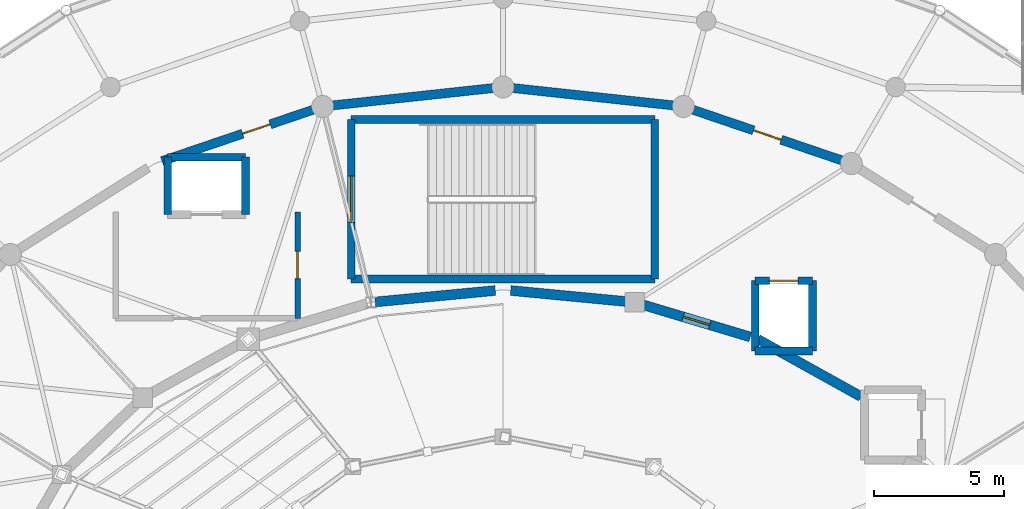
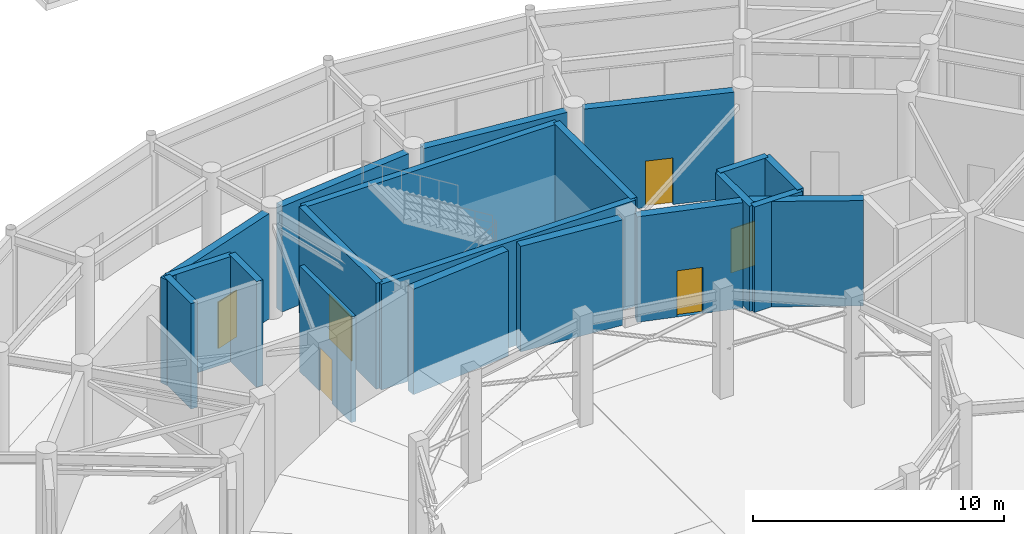
# One storey, part 55 of 93: 20 walls, 6 doors, 6 openings.
"""IFC4 building model written with IfcOpenShell, lengths in metres."""

import ifcopenshell
import ifcopenshell.guid

model = None  # the IFC model being written
_history = None  # IfcOwnerHistory: only IFC2X3 demands one
_inside = {}  # id of a spatial element -> (the spatial element, [elements in it])
_under = {}  # id of a project, library or spatial element -> (it, [spatial elements below it])
_declared = {}  # id of a project -> (the project, [libraries it declares])
_typed = {}  # id of a type object -> (the type object, [elements of that type])
_made_of = {}  # id of a material, layer set ... -> (it, [elements and type objects made of it])


def new_model(schema):
    """Start an empty IFC model of exactly this schema.

    Asked for "IFC4X3", IfcOpenShell would pick the latest addendum, in which some entities
    have other attributes; the version numbers below select the first issue.
    IFC2X3 requires an IfcOwnerHistory on every rooted entity: one is made here for all.
    """
    global model, _history
    if schema == "IFC4X3":
        model = ifcopenshell.file(schema_version=(4, 3, 0, 0))
    else:
        model = ifcopenshell.file(schema=schema)
    _inside.clear()
    _under.clear()
    _declared.clear()
    _typed.clear()
    _made_of.clear()
    _history = None
    if model.schema == "IFC2X3":
        org = make("IfcOrganization", Name="unknown")
        user = make(
            "IfcPersonAndOrganization",
            ThePerson=make("IfcPerson", FamilyName="unknown"),
            TheOrganization=org,
        )
        app = make(
            "IfcApplication",
            ApplicationDeveloper=org,
            Version="unknown",
            ApplicationFullName="unknown",
            ApplicationIdentifier="unknown",
        )
        _history = make(
            "IfcOwnerHistory",
            OwningUser=user,
            OwningApplication=app,
            ChangeAction="ADDED",
            CreationDate=0,
        )
    return model


def make(cls, **values):
    """One entity of the class cls with the attributes given. An attribute that is None is left unset."""
    return model.create_entity(
        cls, **{name: value for name, value in values.items() if value is not None}
    )


def rooted(cls, **values):
    """An entity with a GlobalId (a new one), such as an element, a storey or a relation."""
    return make(cls, GlobalId=ifcopenshell.guid.new(), OwnerHistory=_history, **values)


def si_unit(unit_type, name, prefix=None):
    """IfcSIUnit, for example si_unit("LENGTHUNIT", "METRE", prefix="MILLI")."""
    return make("IfcSIUnit", UnitType=unit_type, Prefix=prefix, Name=name)


def assignment(units):
    """IfcUnitAssignment: the units of a project."""
    return None if units is None else make("IfcUnitAssignment", Units=units)


def point(xyz):
    """IfcCartesianPoint."""
    return None if xyz is None else make("IfcCartesianPoint", Coordinates=xyz)


def direction(xyz):
    """IfcDirection."""
    return None if xyz is None else make("IfcDirection", DirectionRatios=xyz)


def frame(location, z_axis=None, x_axis=None):
    """IfcAxis2Placement3D, a coordinate frame: its origin and axes. An axis left out is left unset."""
    return make(
        "IfcAxis2Placement3D",
        Location=point(location),
        Axis=direction(z_axis),
        RefDirection=direction(x_axis),
    )


def frame_2d(location, x_axis=None):
    """IfcAxis2Placement2D, a coordinate frame in the plane: its origin and x axis."""
    return make(
        "IfcAxis2Placement2D", Location=point(location), RefDirection=direction(x_axis)
    )


def origin():
    """The frame at (0, 0, 0) with its axes left unset."""
    return frame((0.0, 0.0, 0.0))


def place(relative_to, where):
    """IfcLocalPlacement: puts the frame where relative to a parent placement (None: the world)."""
    return make(
        "IfcLocalPlacement", PlacementRelTo=relative_to, RelativePlacement=where
    )


def context(
    kind, dimensions, precision=None, world=None, true_north=None, identifier=None
):
    """IfcGeometricRepresentationContext, for example the 3D "Model" context."""
    return make(
        "IfcGeometricRepresentationContext",
        ContextIdentifier=identifier,
        ContextType=kind,
        CoordinateSpaceDimension=dimensions,
        Precision=precision,
        WorldCoordinateSystem=world,
        TrueNorth=true_north,
    )


def subcontext(parent, identifier, kind, view, scale=None):
    """IfcGeometricRepresentationSubContext, for example "Body" below "Model"."""
    return make(
        "IfcGeometricRepresentationSubContext",
        ContextIdentifier=identifier,
        ContextType=kind,
        ParentContext=parent,
        TargetScale=scale,
        TargetView=view,
    )


def project(units=None, contexts=None):
    """IfcProject with its units and contexts."""
    return rooted(
        "IfcProject",
        Name="project",
        RepresentationContexts=contexts,
        UnitsInContext=assignment(units),
    )


def spatial(cls, under=None, at=None, **own):
    """A site, building, storey or space (cls), placed at a placement, below another one or the project."""
    s = rooted(cls, ObjectPlacement=at, **own)
    if under is not None:
        _under.setdefault(under.id(), (under, []))[1].append(s)
    return s


def profile(cls, at=None, kind="AREA", **sizes):
    """A parametric profile (cls). Its sizes go by their IFC names, for example OverallWidth=200.0."""
    return make(cls, ProfileType=kind, Position=at, **sizes)


def rectangle(**sizes):
    """IfcRectangleProfileDef."""
    return profile("IfcRectangleProfileDef", **sizes)


def extrude(swept, where, along, depth):
    """IfcExtrudedAreaSolid: the profile swept, set in the frame where, extruded along a direction by depth."""
    return make(
        "IfcExtrudedAreaSolid",
        SweptArea=swept,
        Position=where,
        ExtrudedDirection=direction(along),
        Depth=depth,
    )


def shape(context_of_items, identifier, shape_type, items):
    """IfcShapeRepresentation: the items that make up one representation, for example the "Body"."""
    return make(
        "IfcShapeRepresentation",
        ContextOfItems=context_of_items,
        RepresentationIdentifier=identifier,
        RepresentationType=shape_type,
        Items=items,
    )


def material(Name=None, Category=None):
    """IfcMaterial."""
    return make("IfcMaterial", Name=Name, Category=Category)


def layer(
    of_material, thickness, ventilated=None, Name=None, Category=None, Priority=None
):
    """IfcMaterialLayer: one layer of a wall or slab, of a material (None: an air gap)."""
    return make(
        "IfcMaterialLayer",
        Material=of_material,
        LayerThickness=thickness,
        IsVentilated=ventilated,
        Name=Name,
        Category=Category,
        Priority=Priority,
    )


def layer_set(layers, Name=None):
    """IfcMaterialLayerSet."""
    return make("IfcMaterialLayerSet", MaterialLayers=layers, LayerSetName=Name)


def made_of(thing, what):
    """Note that an element or type object is made of a material, layer set ...; save() writes the relation."""
    if what is not None:
        _made_of.setdefault(what.id(), (what, []))[1].append(thing)
    return thing


def type_object(cls, material=None, **own):
    """A type object (cls), such as IfcWallType, which elements share."""
    return made_of(rooted(cls, **own), material)


def element(
    cls,
    number,
    at=None,
    inside=None,
    cuts=None,
    type_object=None,
    material=None,
    context=None,
    identifier="Body",
    shape_type=None,
    held_by="IfcProductDefinitionShape",
    body=None,
    shapes=None,
    **own,
):
    """One element of the class cls, such as IfcWall. Its Tag is "e" and its number.

    at: its placement. inside: the storey or other place that contains it. cuts: it is an
    opening in that element (IfcRelVoidsElement). A single representation is given by context,
    identifier, shape_type and body (its items); several are given by shapes. held_by: the class
    of the entity that holds the representations. save() writes the other relations.
    """
    e = rooted(cls, Tag="e%d" % number, ObjectPlacement=at, **own)
    if body is not None:
        shapes = [shape(context, identifier, shape_type, body)]
    if shapes is not None:
        e.Representation = make(held_by, Representations=shapes)
    if inside is not None:
        _inside.setdefault(inside.id(), (inside, []))[1].append(e)
    if cuts is not None:
        rooted(
            "IfcRelVoidsElement", RelatingBuildingElement=cuts, RelatedOpeningElement=e
        )
    if type_object is not None:
        _typed.setdefault(type_object.id(), (type_object, []))[1].append(e)
    return made_of(e, material)


def fill(opening, filler):
    """IfcRelFillsElement: the door or window that sits in an opening."""
    return rooted(
        "IfcRelFillsElement",
        RelatingOpeningElement=opening,
        RelatedBuildingElement=filler,
    )


def aggregate(whole, parts):
    """IfcRelAggregates: a whole, such as a stair, and the parts it consists of."""
    return rooted("IfcRelAggregates", RelatingObject=whole, RelatedObjects=parts)


def save(model, path):
    """Write the relations noted so far, then the file.

    IfcRelAggregates (storeys below a building ...), IfcRelContainedInSpatialStructure (elements
    in a storey), IfcRelDefinesByType, IfcRelAssociatesMaterial and IfcRelDeclares: one each for
    every whole, place, type object, material and project.
    """
    for whole, parts in _under.values():
        aggregate(whole, parts)
    for where, things in _inside.values():
        rooted(
            "IfcRelContainedInSpatialStructure",
            RelatedElements=things,
            RelatingStructure=where,
        )
    for kind, things in _typed.values():
        rooted("IfcRelDefinesByType", RelatedObjects=things, RelatingType=kind)
    for what, things in _made_of.values():
        rooted("IfcRelAssociatesMaterial", RelatedObjects=things, RelatingMaterial=what)
    for by, libraries in _declared.values():
        rooted("IfcRelDeclares", RelatingContext=by, RelatedDefinitions=libraries)
    model.write(path)


model = new_model("IFC4")

# Units and contexts
model_context = context("Model", 3, precision=1e-05, world=origin(), true_north=direction((0.0, 1.0)))
body_context = subcontext(model_context, "Body", "Model", "MODEL_VIEW")
ifc_project = project(units=[si_unit("LENGTHUNIT", "METRE"), si_unit("AREAUNIT", "SQUARE_METRE"), si_unit("VOLUMEUNIT", "CUBIC_METRE"), si_unit("PLANEANGLEUNIT", "RADIAN"), si_unit("MASSUNIT", "GRAM", prefix="KILO")], contexts=[model_context])

# Site, building, storey
site_placement = place(None, origin())
site = spatial("IfcSite", under=ifc_project, at=site_placement, CompositionType="ELEMENT")
building_placement = place(site_placement, origin())
building = spatial("IfcBuilding", under=site, at=building_placement, Name="Cinderbank Siding Concert Hall", CompositionType="ELEMENT")
storey_placement = place(building_placement, origin())
storey = spatial("IfcBuildingStorey", under=building, at=storey_placement, Name="L01", CompositionType="ELEMENT", Elevation=0.0)

# Wall
ifc_material_1 = material(Name="Reinforced concrete AS 3600 N50 (50 MPa)", Category="concrete")
ifc_layer_1 = layer(ifc_material_1, 0.3798828125)
ifc_layer_set_1 = layer_set([ifc_layer_1], Name="Reinforced concrete AS 3600 N50 (50 MPa)")
wall_type_1 = type_object("IfcWallType", Name="WL-01 Structural Wall 380mm", PredefinedType="SOLIDWALL", material=ifc_layer_set_1)
wall_1_placement = place(storey_placement, frame((135.77197265625, 54.089599609375, 0.0), z_axis=(0.0, 0.0, 1.0), x_axis=(-0.874028004615, 0.485875546975, 0.0)))
element("IfcWall", 1, at=wall_1_placement, inside=storey, type_object=wall_type_1, Name="L01 Structural Wall SW-E1-L01-04", PredefinedType="SOLIDWALL", context=body_context, shape_type="SweptSolid", body=[
    extrude(rectangle(XDim=4.54443359375, YDim=0.3798828125, at=frame_2d((2.272216796875, 0.0))), origin(), (0.0, 0.0, 1.0), 5.1201171875),
])

# Wall, opening, door
wall_2_placement = place(storey_placement, frame((131.5126953125, 56.3837890625, 0.0), z_axis=(0.0, 0.0, 1.0), x_axis=(-0.95780608713, 0.287415203941, 0.0)))
wall_2 = element("IfcWall", 2, at=wall_2_placement, inside=storey, type_object=wall_type_1, Name="L01 Structural Wall SW-E1-L01-05", PredefinedType="SOLIDWALL", context=body_context, shape_type="SweptSolid", body=[
    extrude(rectangle(XDim=4.325439453125, YDim=0.3798828125, at=frame_2d((2.16259765625, 0.0))), origin(), (0.0, 0.0, 1.0), 5.1201171875),
])
opening_1_placement = place(wall_2_placement, frame((1.6328125, 0.0, 0.0)))
opening_1 = element("IfcOpeningElement", 3, at=opening_1_placement, cuts=wall_2, Name="Opening D-18", PredefinedType="OPENING", context=body_context, shape_type="SweptSolid", body=[
    extrude(rectangle(XDim=1.06005859375, YDim=2.239990234375, at=frame_2d((0.530029296875, 1.1201171875))), frame((0.0, 0.201904296875, 0.0), z_axis=(0.0, -1.0, 0.0), x_axis=(1.0, 0.0, 0.0)), (0.0, 0.0, 1.0), 0.40380859375),
])
ifc_material_2 = material(Name="Solid-core spotted gum acoustic timber", Category="wood")
door_type_1 = type_object("IfcDoorType", Name="D-18 Interior Door 1060x2240", OperationType="NOTDEFINED", PredefinedType="DOOR", material=ifc_material_2)
door_1_placement = place(opening_1_placement, origin())
door_1 = element("IfcDoor", 4, at=door_1_placement, inside=storey, type_object=door_type_1, Name="L01 Auditorium Sound-Lock Door L01-D119", OperationType="SINGLE_SWING_RIGHT", OverallHeight=2.239990234375, OverallWidth=1.06005859375, PredefinedType="DOOR", context=body_context, shape_type="SweptSolid", body=[
    extrude(rectangle(XDim=1.06005859375, YDim=2.239990234375, at=frame_2d((0.530029296875, 1.1201171875))), frame((0.0, 0.02490234375, 0.0), z_axis=(0.0, -1.0, 0.0), x_axis=(1.0, 0.0, 0.0)), (0.0, 0.0, 1.0), 0.050048828125),
])
fill(opening_1, door_1)

# Walls
wall_3_placement = place(storey_placement, frame((126.764404296875, 57.74560546875, 0.0), z_axis=(0.0, 0.0, 1.0), x_axis=(-0.995485683578, 0.094911821133, 0.0)))
element("IfcWall", 5, at=wall_3_placement, inside=storey, type_object=wall_type_1, Name="L01 Structural Wall SW-E1-L01-06", PredefinedType="SOLIDWALL", context=body_context, shape_type="SweptSolid", body=[
    extrude(rectangle(XDim=4.486083984375, YDim=0.3798828125, at=frame_2d((2.2431640625, 0.0))), origin(), (0.0, 0.0, 1.0), 5.1201171875),
])
wall_4_placement = place(storey_placement, frame((121.701416015625, 58.17138671875, 0.0), z_axis=(0.0, 0.0, 1.0), x_axis=(-0.995481971411, -0.094950748265, 0.0)))
element("IfcWall", 6, at=wall_4_placement, inside=storey, type_object=wall_type_1, Name="L01 Structural Wall SW-E1-L01-07", PredefinedType="SOLIDWALL", context=body_context, shape_type="SweptSolid", body=[
    extrude(rectangle(XDim=4.635986328125, YDim=0.3798828125, at=frame_2d((2.31787109375, 0.0))), origin(), (0.0, 0.0, 1.0), 5.1201171875),
])

# Wall, opening, door
ifc_layer_2 = layer(ifc_material_1, 0.35009765625)
ifc_layer_set_2 = layer_set([ifc_layer_2], Name="Reinforced concrete AS 3600 N50 (50 MPa)")
wall_type_2 = type_object("IfcWallType", Name="WL-02 Structural Wall 350mm", PredefinedType="SHEAR", material=ifc_layer_set_2)
wall_5_placement = place(storey_placement, frame((135.05908203125, 63.16845703125, 0.0), z_axis=(0.0, 0.0, 1.0), x_axis=(-0.946763241211, 0.321930683675, 0.0)))
wall_5 = element("IfcWall", 7, at=wall_5_placement, inside=storey, type_object=wall_type_2, Name="L01 Structural Wall SW-E2-L01-05", PredefinedType="SHEAR", context=body_context, shape_type="SweptSolid", body=[
    extrude(rectangle(XDim=6.107177734375, YDim=0.35009765625, at=frame_2d((3.0537109375, 0.0))), origin(), (0.0, 0.0, 1.0), 5.1201171875),
])
opening_2_placement = place(wall_5_placement, frame((2.49365234375, 0.0, 0.0)))
opening_2 = element("IfcOpeningElement", 8, at=opening_2_placement, cuts=wall_5, Name="Opening D-19", PredefinedType="OPENING", context=body_context, shape_type="SweptSolid", body=[
    extrude(rectangle(XDim=1.1201171875, YDim=2.260009765625, at=frame_2d((0.56005859375, 1.1298828125))), frame((0.0, 0.18701171875, 0.0), z_axis=(0.0, -1.0, 0.0), x_axis=(1.0, 0.0, 0.0)), (0.0, 0.0, 1.0), 0.3740234375),
])
door_type_2 = type_object("IfcDoorType", Name="D-19 Interior Door 1120x2260", OperationType="NOTDEFINED", PredefinedType="DOOR", material=ifc_material_2)
door_2_placement = place(opening_2_placement, origin())
door_2 = element("IfcDoor", 9, at=door_2_placement, inside=storey, type_object=door_type_2, Name="L01 Auditorium Sound-Lock Door L01-D124", OperationType="SINGLE_SWING_LEFT", OverallHeight=2.260009765625, OverallWidth=1.1201171875, PredefinedType="DOOR", context=body_context, shape_type="SweptSolid", body=[
    extrude(rectangle(XDim=1.1201171875, YDim=2.260009765625, at=frame_2d((0.56005859375, 1.1298828125))), frame((0.0, 0.02490234375, 0.0), z_axis=(0.0, -1.0, 0.0), x_axis=(1.0, 0.0, 0.0)), (0.0, 0.0, 1.0), 0.050048828125),
])
fill(opening_2, door_2)

# Walls
for number, where, z_axis, x_axis, name in (
    (10, (128.57861328125, 65.2890625, 0.0), (0.0, 0.0, 1.0), (-0.994213694453, 0.107420341477, 0.0), "L01 Structural Wall SW-E2-L01-06"),
    (11, (121.64208984375, 65.961181640625, 0.0), (0.0, 0.0, 1.0), (-0.994213694453, -0.107420341477, 0.0), "L01 Structural Wall SW-E2-L01-07"),
):
    element("IfcWall", number, at=place(storey_placement, frame(where, z_axis=z_axis, x_axis=x_axis)), inside=storey, type_object=wall_type_2, Name=name, PredefinedType="SHEAR", context=body_context, shape_type="SweptSolid", body=[
        extrude(rectangle(XDim=6.2568359375, YDim=0.35009765625, at=frame_2d((3.12841796875, 0.0))), origin(), (0.0, 0.0, 1.0), 5.1201171875),
    ])

# Wall, opening, door
wall_6_placement = place(storey_placement, frame((114.722900390625, 65.134521484375, 0.0), z_axis=(0.0, 0.0, 1.0), x_axis=(-0.946765988255, -0.321922604804, 0.0)))
wall_6 = element("IfcWall", 12, at=wall_6_placement, inside=storey, type_object=wall_type_2, Name="L01 Structural Wall SW-E2-L01-08", PredefinedType="SHEAR", context=body_context, shape_type="SweptSolid", body=[
    extrude(rectangle(XDim=6.167236328125, YDim=0.35009765625, at=frame_2d((3.08349609375, 0.0))), origin(), (0.0, 0.0, 1.0), 5.1201171875),
])
opening_3_placement = place(wall_6_placement, frame((1.7734375, 0.0, 0.0)))
opening_3 = element("IfcOpeningElement", 13, at=opening_3_placement, cuts=wall_6, Name="Opening D-19", PredefinedType="OPENING", context=body_context, shape_type="SweptSolid", body=[
    extrude(rectangle(XDim=1.1201171875, YDim=2.260009765625, at=frame_2d((0.56005859375, 1.1298828125))), frame((0.0, 0.18701171875, 0.0), z_axis=(0.0, -1.0, 0.0), x_axis=(1.0, 0.0, 0.0)), (0.0, 0.0, 1.0), 0.3740234375),
])
door_3_placement = place(opening_3_placement, origin())
door_3 = element("IfcDoor", 14, at=door_3_placement, inside=storey, type_object=door_type_2, Name="L01 Auditorium Sound-Lock Door L01-D125", OperationType="SINGLE_SWING_RIGHT", OverallHeight=2.260009765625, OverallWidth=1.1201171875, PredefinedType="DOOR", context=body_context, shape_type="SweptSolid", body=[
    extrude(rectangle(XDim=1.1201171875, YDim=2.260009765625, at=frame_2d((0.56005859375, 1.1298828125))), frame((0.0, 0.02490234375, 0.0), z_axis=(0.0, -1.0, 0.0), x_axis=(1.0, 0.0, 0.0)), (0.0, 0.0, 1.0), 0.050048828125),
])
fill(opening_3, door_3)

ifc_layer_3 = layer(ifc_material_1, 0.300048828125)
ifc_layer_set_3 = layer_set([ifc_layer_3], Name="Reinforced concrete AS 3600 N50 (50 MPa)")
wall_type_3 = type_object("IfcWallType", Name="WL-03 Structural Wall 300mm", PredefinedType="SHEAR", material=ifc_layer_set_3)
wall_7_placement = place(storey_placement, frame((116.159912109375, 58.610107421875, 0.0), z_axis=(0.0, 0.0, 1.0), x_axis=(0.0, 1.0, 0.0)))
wall_7 = element("IfcWall", 15, at=wall_7_placement, inside=storey, type_object=wall_type_3, Name="L01 ST-01 Core Wall ENTRY", PredefinedType="SHEAR", context=body_context, shape_type="SweptSolid", body=[
    extrude(rectangle(XDim=6.139892578125, YDim=0.300048828125, at=frame_2d((3.06982421875, 0.0))), origin(), (0.0, 0.0, 1.0), 5.139892578125),
])
opening_4_placement = place(wall_7_placement, frame((2.169921875, 0.0, 0.0)))
opening_4 = element("IfcOpeningElement", 16, at=opening_4_placement, cuts=wall_7, Name="Opening D-05", PredefinedType="OPENING", context=body_context, shape_type="SweptSolid", body=[
    extrude(rectangle(XDim=1.800048828125, YDim=2.199951171875, at=frame_2d((0.89990234375, 1.10009765625))), frame((0.0, 0.162109375, 0.0), z_axis=(0.0, -1.0, 0.0), x_axis=(1.0, 0.0, 0.0)), (0.0, 0.0, 1.0), 0.323974609375),
])
ifc_material_3 = material(Name="Galvanised sheet steel acoustic fire door assembly", Category="steel")
door_type_3 = type_object("IfcDoorType", Name="D-05 Interior Door 1800x2200", OperationType="DOUBLE_DOOR_SINGLE_SWING", PredefinedType="DOOR", material=ifc_material_3)
door_4_placement = place(opening_4_placement, origin())
door_4 = element("IfcDoor", 17, at=door_4_placement, inside=storey, type_object=door_type_3, Name="L01 ST-01 Fire Stair Door L01-D002", OperationType="DOUBLE_DOOR_SINGLE_SWING", OverallHeight=2.199951171875, OverallWidth=1.800048828125, PredefinedType="DOOR", context=body_context, shape_type="SweptSolid", body=[
    extrude(rectangle(XDim=1.800048828125, YDim=2.199951171875, at=frame_2d((0.89990234375, 1.10009765625))), frame((0.0, 0.02490234375, 0.0), z_axis=(0.0, -1.0, 0.0), x_axis=(1.0, 0.0, 0.0)), (0.0, 0.0, 1.0), 0.050048828125),
])
fill(opening_4, door_4)

# Walls
wall_8_placement = place(storey_placement, frame((127.840087890625, 64.75, 0.0), z_axis=(0.0, 0.0, 1.0), x_axis=(0.0, -1.0, 0.0)))
element("IfcWall", 18, at=wall_8_placement, inside=storey, type_object=wall_type_3, Name="L01 ST-01 Core Wall FAR", PredefinedType="SHEAR", context=body_context, shape_type="SweptSolid", body=[
    extrude(rectangle(XDim=6.139892578125, YDim=0.300048828125, at=frame_2d((3.06982421875, 0.0))), origin(), (0.0, 0.0, 1.0), 5.139892578125),
])
for number, where, z_axis, x_axis, name in (
    (19, (127.840087890625, 58.610107421875, 0.0), (0.0, 0.0, 1.0), (-1.0, 0.0, 0.0), "L01 ST-01 Core Wall SIDE1"),
    (20, (116.159912109375, 64.75, 0.0), (0.0, 0.0, 1.0), (1.0, 0.0, 0.0), "L01 ST-01 Core Wall SIDE2"),
):
    element("IfcWall", number, at=place(storey_placement, frame(where, z_axis=z_axis, x_axis=x_axis)), inside=storey, type_object=wall_type_3, Name=name, PredefinedType="SHEAR", context=body_context, shape_type="SweptSolid", body=[
        extrude(rectangle(XDim=11.68017578125, YDim=0.300048828125, at=frame_2d((5.840087890625, 0.0))), origin(), (0.0, 0.0, 1.0), 5.139892578125),
    ])
wall_9_placement = place(storey_placement, frame((133.89990234375, 55.85009765625, 0.0), z_axis=(0.0, 0.0, 1.0), x_axis=(-1.0, 0.0, 0.0)))
element("IfcWall", 21, at=wall_9_placement, inside=storey, type_object=wall_type_3, Name="L01 LF-01 Shaft Wall -Y", PredefinedType="SHEAR", context=body_context, shape_type="SweptSolid", body=[
    extrude(rectangle(XDim=2.199951171875, YDim=0.300048828125, at=frame_2d((1.10009765625, 0.0))), origin(), (0.0, 0.0, 1.0), 5.1201171875),
])
wall_10_placement = place(storey_placement, frame((133.89990234375, 58.550048828125, 0.0), z_axis=(0.0, 0.0, 1.0), x_axis=(0.0, -1.0, 0.0)))
element("IfcWall", 22, at=wall_10_placement, inside=storey, type_object=wall_type_3, Name="L01 LF-01 Shaft Wall +X", PredefinedType="SHEAR", context=body_context, shape_type="SweptSolid", body=[
    extrude(rectangle(XDim=2.699951171875, YDim=0.300048828125, at=frame_2d((1.35009765625, 0.0))), origin(), (0.0, 0.0, 1.0), 5.139892578125),
])

# Wall, opening, door
wall_11_placement = place(storey_placement, frame((131.699951171875, 58.550048828125, 0.0), z_axis=(0.0, 0.0, 1.0), x_axis=(1.0, 0.0, 0.0)))
wall_11 = element("IfcWall", 23, at=wall_11_placement, inside=storey, type_object=wall_type_3, Name="L01 LF-01 Shaft Wall +Y", PredefinedType="SHEAR", context=body_context, shape_type="SweptSolid", body=[
    extrude(rectangle(XDim=2.199951171875, YDim=0.300048828125, at=frame_2d((1.10009765625, 0.0))), origin(), (0.0, 0.0, 1.0), 5.139892578125),
])
opening_5_placement = place(wall_11_placement, frame((0.550048828125, 0.0, 0.0)))
opening_5 = element("IfcOpeningElement", 24, at=opening_5_placement, cuts=wall_11, Name="Opening LD-01", PredefinedType="OPENING", context=body_context, shape_type="SweptSolid", body=[
    extrude(rectangle(XDim=1.10009765625, YDim=2.14990234375, at=frame_2d((0.550048828125, 1.074951171875))), frame((0.0, 0.162109375, 0.0), z_axis=(0.0, -1.0, 0.0), x_axis=(1.0, 0.0, 0.0)), (0.0, 0.0, 1.0), 0.323974609375),
])
door_type_4 = type_object("IfcDoorType", Name="LD-01 Interior Door 1100x2150", OperationType="DOUBLE_DOOR_SLIDING", PredefinedType="DOOR", material=ifc_material_3)
door_5_placement = place(opening_5_placement, origin())
door_5 = element("IfcDoor", 25, at=door_5_placement, inside=storey, type_object=door_type_4, Name="L01 LF-01 Sliding Landing Door", OperationType="DOUBLE_DOOR_SLIDING", OverallHeight=2.14990234375, OverallWidth=1.10009765625, PredefinedType="DOOR", context=body_context, shape_type="SweptSolid", body=[
    extrude(rectangle(XDim=1.10009765625, YDim=2.14990234375, at=frame_2d((0.550048828125, 1.074951171875))), frame((0.0, 0.02490234375, 0.0), z_axis=(0.0, -1.0, 0.0), x_axis=(1.0, 0.0, 0.0)), (0.0, 0.0, 1.0), 0.050048828125),
])
fill(opening_5, door_5)

# Walls
wall_12_placement = place(storey_placement, frame((131.699951171875, 55.85009765625, 0.0), z_axis=(0.0, 0.0, 1.0), x_axis=(0.0, 1.0, 0.0)))
element("IfcWall", 26, at=wall_12_placement, inside=storey, type_object=wall_type_3, Name="L01 LF-01 Shaft Wall -X", PredefinedType="SHEAR", context=body_context, shape_type="SweptSolid", body=[
    extrude(rectangle(XDim=2.699951171875, YDim=0.300048828125, at=frame_2d((1.35009765625, 0.0))), origin(), (0.0, 0.0, 1.0), 5.1201171875),
])
wall_13_placement = place(storey_placement, frame((112.10009765625, 63.300048828125, 0.0), z_axis=(0.0, 0.0, 1.0), x_axis=(0.0, -1.0, 0.0)))
element("IfcWall", 27, at=wall_13_placement, inside=storey, type_object=wall_type_3, Name="L01 LF-04 Shaft Wall +X", PredefinedType="SHEAR", context=body_context, shape_type="SweptSolid", body=[
    extrude(rectangle(XDim=2.199951171875, YDim=0.300048828125, at=frame_2d((1.10009765625, 0.0))), origin(), (0.0, 0.0, 1.0), 5.139892578125),
])
wall_14_placement = place(storey_placement, frame((109.10009765625, 63.300048828125, 0.0), z_axis=(0.0, 0.0, 1.0), x_axis=(1.0, 0.0, 0.0)))
element("IfcWall", 28, at=wall_14_placement, inside=storey, type_object=wall_type_3, Name="L01 LF-04 Shaft Wall +Y", PredefinedType="SHEAR", context=body_context, shape_type="SweptSolid", body=[
    extrude(rectangle(XDim=3.0, YDim=0.300048828125, at=frame_2d((1.5, 0.0))), origin(), (0.0, 0.0, 1.0), 5.1201171875),
])
wall_15_placement = place(storey_placement, frame((109.10009765625, 61.10009765625, 0.0), z_axis=(0.0, 0.0, 1.0), x_axis=(0.0, 1.0, 0.0)))
element("IfcWall", 29, at=wall_15_placement, inside=storey, type_object=wall_type_3, Name="L01 LF-04 Shaft Wall -X", PredefinedType="SHEAR", context=body_context, shape_type="SweptSolid", body=[
    extrude(rectangle(XDim=2.199951171875, YDim=0.300048828125, at=frame_2d((1.10009765625, 0.0))), origin(), (0.0, 0.0, 1.0), 5.1201171875),
])

# Wall, opening, door
ifc_layer_4 = layer(ifc_material_1, 0.219970703125)
ifc_layer_set_4 = layer_set([ifc_layer_4], Name="Reinforced concrete AS 3600 N50 (50 MPa)")
wall_type_4 = type_object("IfcWallType", Name="WL-06 Interior Wall 220mm", PredefinedType="SOLIDWALL", material=ifc_layer_set_4)
wall_16_placement = place(storey_placement, frame((114.10009765625, 61.199951171875, 0.0), z_axis=(0.0, 0.0, 1.0), x_axis=(0.0, -1.0, 0.0)))
wall_16 = element("IfcWall", 30, at=wall_16_placement, inside=storey, type_object=wall_type_4, Name="L01 Firefighting Lobby Wall FFLN-E", PredefinedType="SOLIDWALL", context=body_context, shape_type="SweptSolid", body=[
    extrude(rectangle(XDim=4.099853515625, YDim=0.219970703125, at=frame_2d((2.0498046875, 0.0))), origin(), (0.0, 0.0, 1.0), 5.125),
])
opening_6_placement = place(wall_16_placement, frame((1.52490234375, 0.0, 0.0)))
opening_6 = element("IfcOpeningElement", 31, at=opening_6_placement, cuts=wall_16, Name="Opening D-02", PredefinedType="OPENING", context=body_context, shape_type="SweptSolid", body=[
    extrude(rectangle(XDim=1.050048828125, YDim=2.14990234375, at=frame_2d((0.52490234375, 1.074951171875))), frame((0.0, 0.1220703125, 0.0), z_axis=(0.0, -1.0, 0.0), x_axis=(1.0, 0.0, 0.0)), (0.0, 0.0, 1.0), 0.243896484375),
])
door_type_5 = type_object("IfcDoorType", Name="D-02 Interior Door 1050x2150", OperationType="NOTDEFINED", PredefinedType="DOOR", material=ifc_material_3)
door_6_placement = place(opening_6_placement, origin())
door_6 = element("IfcDoor", 32, at=door_6_placement, inside=storey, type_object=door_type_5, Name="L01 Firefighting Lobby Door L01-D067", OperationType="SINGLE_SWING_RIGHT", OverallHeight=2.14990234375, OverallWidth=1.050048828125, PredefinedType="DOOR", context=body_context, shape_type="SweptSolid", body=[
    extrude(rectangle(XDim=1.050048828125, YDim=2.14990234375, at=frame_2d((0.52490234375, 1.074951171875))), frame((0.0, 0.02490234375, 0.0), z_axis=(0.0, -1.0, 0.0), x_axis=(1.0, 0.0, 0.0)), (0.0, 0.0, 1.0), 0.050048828125),
])
fill(opening_6, door_6)

save(model, "model.ifc")
